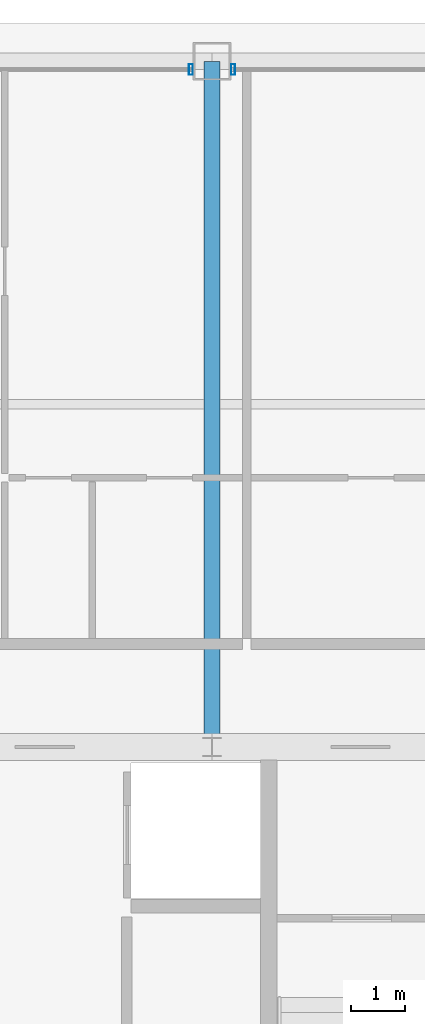
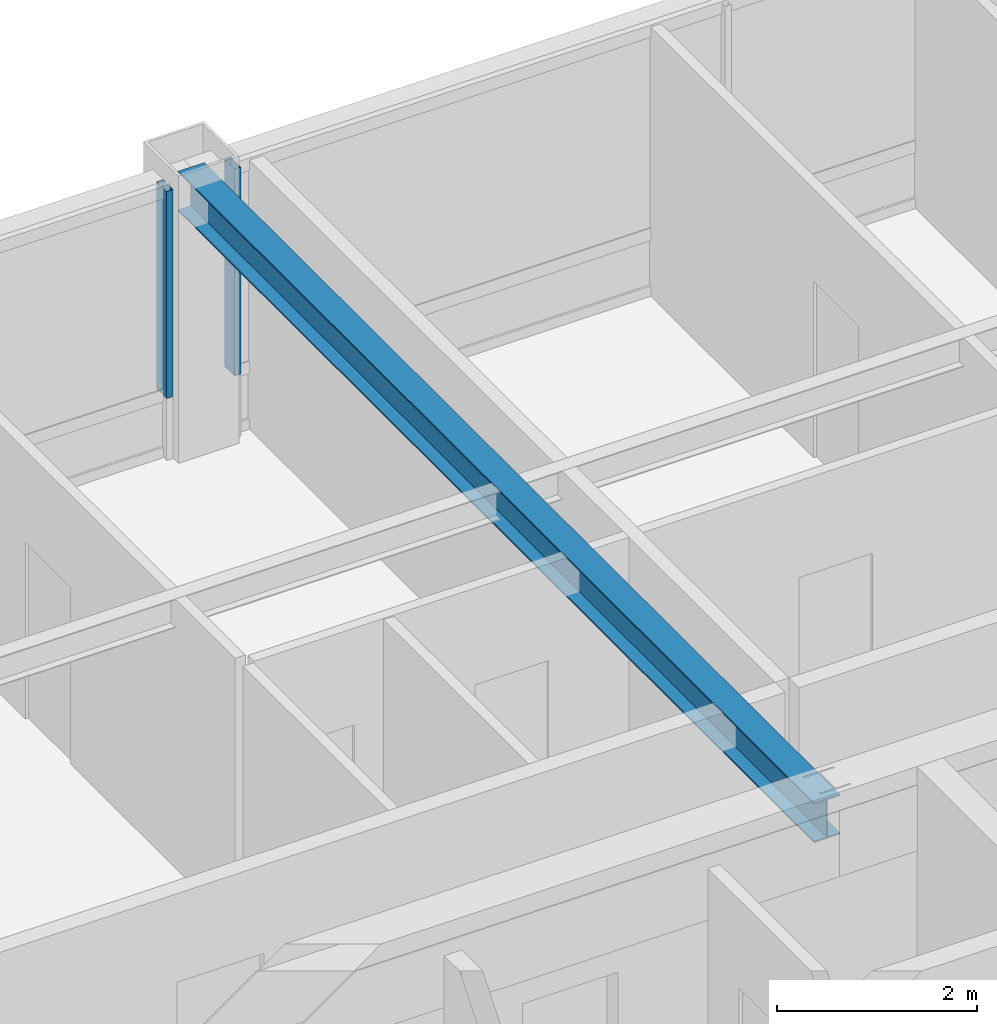
# One storey, part 18 of 35: 2 members, 1 beam, 2 elements without a shape of their own.
"""IFC4 building model written with IfcOpenShell, lengths in metres."""

import ifcopenshell
import ifcopenshell.guid

model = None  # the IFC model being written
_history = None  # IfcOwnerHistory: only IFC2X3 demands one
_inside = {}  # id of a spatial element -> (the spatial element, [elements in it])
_under = {}  # id of a project, library or spatial element -> (it, [spatial elements below it])
_declared = {}  # id of a project -> (the project, [libraries it declares])
_typed = {}  # id of a type object -> (the type object, [elements of that type])
_made_of = {}  # id of a material, layer set ... -> (it, [elements and type objects made of it])


def new_model(schema):
    """Start an empty IFC model of exactly this schema.

    Asked for "IFC4X3", IfcOpenShell would pick the latest addendum, in which some entities
    have other attributes; the version numbers below select the first issue.
    IFC2X3 requires an IfcOwnerHistory on every rooted entity: one is made here for all.
    """
    global model, _history
    if schema == "IFC4X3":
        model = ifcopenshell.file(schema_version=(4, 3, 0, 0))
    else:
        model = ifcopenshell.file(schema=schema)
    _inside.clear()
    _under.clear()
    _declared.clear()
    _typed.clear()
    _made_of.clear()
    _history = None
    if model.schema == "IFC2X3":
        org = make("IfcOrganization", Name="unknown")
        user = make(
            "IfcPersonAndOrganization",
            ThePerson=make("IfcPerson", FamilyName="unknown"),
            TheOrganization=org,
        )
        app = make(
            "IfcApplication",
            ApplicationDeveloper=org,
            Version="unknown",
            ApplicationFullName="unknown",
            ApplicationIdentifier="unknown",
        )
        _history = make(
            "IfcOwnerHistory",
            OwningUser=user,
            OwningApplication=app,
            ChangeAction="ADDED",
            CreationDate=0,
        )
    return model


def make(cls, **values):
    """One entity of the class cls with the attributes given. An attribute that is None is left unset."""
    return model.create_entity(
        cls, **{name: value for name, value in values.items() if value is not None}
    )


def rooted(cls, **values):
    """An entity with a GlobalId (a new one), such as an element, a storey or a relation."""
    return make(cls, GlobalId=ifcopenshell.guid.new(), OwnerHistory=_history, **values)


def si_unit(unit_type, name, prefix=None):
    """IfcSIUnit, for example si_unit("LENGTHUNIT", "METRE", prefix="MILLI")."""
    return make("IfcSIUnit", UnitType=unit_type, Prefix=prefix, Name=name)


def assignment(units):
    """IfcUnitAssignment: the units of a project."""
    return None if units is None else make("IfcUnitAssignment", Units=units)


def point(xyz):
    """IfcCartesianPoint."""
    return None if xyz is None else make("IfcCartesianPoint", Coordinates=xyz)


def direction(xyz):
    """IfcDirection."""
    return None if xyz is None else make("IfcDirection", DirectionRatios=xyz)


def frame(location, z_axis=None, x_axis=None):
    """IfcAxis2Placement3D, a coordinate frame: its origin and axes. An axis left out is left unset."""
    return make(
        "IfcAxis2Placement3D",
        Location=point(location),
        Axis=direction(z_axis),
        RefDirection=direction(x_axis),
    )


def frame_2d(location, x_axis=None):
    """IfcAxis2Placement2D, a coordinate frame in the plane: its origin and x axis."""
    return make(
        "IfcAxis2Placement2D", Location=point(location), RefDirection=direction(x_axis)
    )


def origin():
    """The frame at (0, 0, 0) with its axes left unset."""
    return frame((0.0, 0.0, 0.0))


def origin_2d():
    """The frame at (0, 0) in the plane with its x axis left unset."""
    return frame_2d((0.0, 0.0))


def place(relative_to, where):
    """IfcLocalPlacement: puts the frame where relative to a parent placement (None: the world)."""
    return make(
        "IfcLocalPlacement", PlacementRelTo=relative_to, RelativePlacement=where
    )


def context(
    kind, dimensions, precision=None, world=None, true_north=None, identifier=None
):
    """IfcGeometricRepresentationContext, for example the 3D "Model" context."""
    return make(
        "IfcGeometricRepresentationContext",
        ContextIdentifier=identifier,
        ContextType=kind,
        CoordinateSpaceDimension=dimensions,
        Precision=precision,
        WorldCoordinateSystem=world,
        TrueNorth=true_north,
    )


def subcontext(parent, identifier, kind, view, scale=None):
    """IfcGeometricRepresentationSubContext, for example "Body" below "Model"."""
    return make(
        "IfcGeometricRepresentationSubContext",
        ContextIdentifier=identifier,
        ContextType=kind,
        ParentContext=parent,
        TargetScale=scale,
        TargetView=view,
    )


def project(units=None, contexts=None):
    """IfcProject with its units and contexts."""
    return rooted(
        "IfcProject",
        Name="project",
        RepresentationContexts=contexts,
        UnitsInContext=assignment(units),
    )


def spatial(cls, under=None, at=None, **own):
    """A site, building, storey or space (cls), placed at a placement, below another one or the project."""
    s = rooted(cls, ObjectPlacement=at, **own)
    if under is not None:
        _under.setdefault(under.id(), (under, []))[1].append(s)
    return s


def profile(cls, at=None, kind="AREA", **sizes):
    """A parametric profile (cls). Its sizes go by their IFC names, for example OverallWidth=200.0."""
    return make(cls, ProfileType=kind, Position=at, **sizes)


def hollow_rectangle(**sizes):
    """IfcRectangleHollowProfileDef."""
    return profile("IfcRectangleHollowProfileDef", **sizes)


def i_section(**sizes):
    """IfcIShapeProfileDef."""
    return profile("IfcIShapeProfileDef", **sizes)


def extrude(swept, where, along, depth):
    """IfcExtrudedAreaSolid: the profile swept, set in the frame where, extruded along a direction by depth."""
    return make(
        "IfcExtrudedAreaSolid",
        SweptArea=swept,
        Position=where,
        ExtrudedDirection=direction(along),
        Depth=depth,
    )


def shape(context_of_items, identifier, shape_type, items):
    """IfcShapeRepresentation: the items that make up one representation, for example the "Body"."""
    return make(
        "IfcShapeRepresentation",
        ContextOfItems=context_of_items,
        RepresentationIdentifier=identifier,
        RepresentationType=shape_type,
        Items=items,
    )


def source(mapping_origin, context_of_items, identifier, shape_type, items):
    """IfcRepresentationMap: a shape defined once, which mapped items show again and again."""
    return make(
        "IfcRepresentationMap",
        MappingOrigin=mapping_origin,
        MappedRepresentation=shape(context_of_items, identifier, shape_type, items),
    )


def transform(
    local_origin,
    x_axis=None,
    y_axis=None,
    z_axis=None,
    scale=None,
    scale2=None,
    scale3=None,
    uniform=True,
):
    """IfcCartesianTransformationOperator3D, or its non-uniform kind. x_axis, y_axis, z_axis: its Axis1, 2, 3."""
    if uniform:
        return make(
            "IfcCartesianTransformationOperator3D",
            Axis1=direction(x_axis),
            Axis2=direction(y_axis),
            LocalOrigin=point(local_origin),
            Scale=scale,
            Axis3=direction(z_axis),
        )
    return make(
        "IfcCartesianTransformationOperator3DnonUniform",
        Axis1=direction(x_axis),
        Axis2=direction(y_axis),
        LocalOrigin=point(local_origin),
        Scale=scale,
        Axis3=direction(z_axis),
        Scale2=scale2,
        Scale3=scale3,
    )


def mapped(mapping_source, mapping_target):
    """IfcMappedItem: shows the shape of a source again, moved by a transform."""
    return make(
        "IfcMappedItem", MappingSource=mapping_source, MappingTarget=mapping_target
    )


def material(Name=None, Category=None):
    """IfcMaterial."""
    return make("IfcMaterial", Name=Name, Category=Category)


def layer(
    of_material, thickness, ventilated=None, Name=None, Category=None, Priority=None
):
    """IfcMaterialLayer: one layer of a wall or slab, of a material (None: an air gap)."""
    return make(
        "IfcMaterialLayer",
        Material=of_material,
        LayerThickness=thickness,
        IsVentilated=ventilated,
        Name=Name,
        Category=Category,
        Priority=Priority,
    )


def layer_set(layers, Name=None):
    """IfcMaterialLayerSet."""
    return make("IfcMaterialLayerSet", MaterialLayers=layers, LayerSetName=Name)


def material_profile(
    of_material, cross_section, Name=None, Category=None, Priority=None
):
    """IfcMaterialProfile: a cross section and its material."""
    return make(
        "IfcMaterialProfile",
        Name=Name,
        Material=of_material,
        Profile=cross_section,
        Priority=Priority,
        Category=Category,
    )


def profile_set(profiles, Name=None, composite=None):
    """IfcMaterialProfileSet."""
    return make(
        "IfcMaterialProfileSet",
        Name=Name,
        MaterialProfiles=profiles,
        CompositeProfile=composite,
    )


def made_of(thing, what):
    """Note that an element or type object is made of a material, layer set ...; save() writes the relation."""
    if what is not None:
        _made_of.setdefault(what.id(), (what, []))[1].append(thing)
    return thing


def type_object(cls, material=None, **own):
    """A type object (cls), such as IfcWallType, which elements share."""
    return made_of(rooted(cls, **own), material)


def element(
    cls,
    number,
    at=None,
    inside=None,
    cuts=None,
    type_object=None,
    material=None,
    context=None,
    identifier="Body",
    shape_type=None,
    held_by="IfcProductDefinitionShape",
    body=None,
    shapes=None,
    **own,
):
    """One element of the class cls, such as IfcWall. Its Tag is "e" and its number.

    at: its placement. inside: the storey or other place that contains it. cuts: it is an
    opening in that element (IfcRelVoidsElement). A single representation is given by context,
    identifier, shape_type and body (its items); several are given by shapes. held_by: the class
    of the entity that holds the representations. save() writes the other relations.
    """
    e = rooted(cls, Tag="e%d" % number, ObjectPlacement=at, **own)
    if body is not None:
        shapes = [shape(context, identifier, shape_type, body)]
    if shapes is not None:
        e.Representation = make(held_by, Representations=shapes)
    if inside is not None:
        _inside.setdefault(inside.id(), (inside, []))[1].append(e)
    if cuts is not None:
        rooted(
            "IfcRelVoidsElement", RelatingBuildingElement=cuts, RelatedOpeningElement=e
        )
    if type_object is not None:
        _typed.setdefault(type_object.id(), (type_object, []))[1].append(e)
    return made_of(e, material)


def aggregate(whole, parts):
    """IfcRelAggregates: a whole, such as a stair, and the parts it consists of."""
    return rooted("IfcRelAggregates", RelatingObject=whole, RelatedObjects=parts)


def save(model, path):
    """Write the relations noted so far, then the file.

    IfcRelAggregates (storeys below a building ...), IfcRelContainedInSpatialStructure (elements
    in a storey), IfcRelDefinesByType, IfcRelAssociatesMaterial and IfcRelDeclares: one each for
    every whole, place, type object, material and project.
    """
    for whole, parts in _under.values():
        aggregate(whole, parts)
    for where, things in _inside.values():
        rooted(
            "IfcRelContainedInSpatialStructure",
            RelatedElements=things,
            RelatingStructure=where,
        )
    for kind, things in _typed.values():
        rooted("IfcRelDefinesByType", RelatedObjects=things, RelatingType=kind)
    for what, things in _made_of.values():
        rooted("IfcRelAssociatesMaterial", RelatedObjects=things, RelatingMaterial=what)
    for by, libraries in _declared.values():
        rooted("IfcRelDeclares", RelatingContext=by, RelatedDefinitions=libraries)
    model.write(path)


model = new_model("IFC4")

# Units and contexts
model_context = context("Model", 3, precision=1e-05, world=origin(), true_north=direction((0.0, 1.0)))
body_context = subcontext(model_context, "Body", "Model", "MODEL_VIEW")
ifc_project = project(units=[si_unit("LENGTHUNIT", "METRE"), si_unit("AREAUNIT", "SQUARE_METRE"), si_unit("VOLUMEUNIT", "CUBIC_METRE"), si_unit("PLANEANGLEUNIT", "RADIAN"), si_unit("MASSUNIT", "GRAM", prefix="KILO"), si_unit("THERMODYNAMICTEMPERATUREUNIT", "KELVIN"), si_unit("POWERUNIT", "WATT")], contexts=[model_context])

# Site, building, storey
site_placement = place(None, origin())
site = spatial("IfcSite", under=ifc_project, at=site_placement, CompositionType="ELEMENT")
building_placement = place(site_placement, origin())
building = spatial("IfcBuilding", under=site, at=building_placement, Name="Yuzanri Waterfront Tower", CompositionType="ELEMENT")
storey_placement = place(building_placement, frame((0.0, 0.0, 289.10009765625)))
storey = spatial("IfcBuildingStorey", under=building, at=storey_placement, Name="L77", CompositionType="ELEMENT", Elevation=289.10009765625)

# Beam
ifc_material_1 = material(Name="Steel Q355B", Category="steel")
ifc_material_profile_1 = material_profile(ifc_material_1, i_section(OverallWidth=0.300048828125, OverallDepth=0.488037109375, WebThickness=0.010986328125, FlangeThickness=0.01806640625, at=origin_2d()), Name="HM 488x300x11x18")
ifc_profile_set_1 = profile_set([ifc_material_profile_1], Name="Steel Q355B")
beam_type = type_object("IfcBeamType", Name="Primary Floor Girder Q355B HM 488x300", PredefinedType="BEAM", material=ifc_profile_set_1)
shared_shape_1 = source(origin(), body_context, "Body", "SweptSolid", [
    extrude(i_section(OverallWidth=0.300048828125, OverallDepth=0.488037109375, WebThickness=0.010986328125, FlangeThickness=0.01806640625, at=origin_2d()), origin(), (0.0, 0.0, 1.0), 12.699951171875),
])
beam_placement = place(storey_placement, frame((37.0, 32.199951171875, 3.035888671875), z_axis=(0.0, 1.0, 0.0), x_axis=(-1.0, 0.0, 0.0)))
element("IfcBeam", 1, at=beam_placement, inside=storey, type_object=beam_type, Name="L77 North Grid Girder", PredefinedType="BEAM", context=body_context, shape_type="MappedRepresentation", body=[
    mapped(shared_shape_1, transform((0.0, 0.0, 0.0), scale=1.0)),
])

# Curtain wall, member
ifc_material_2 = material(Name="Anodized Architectural Bronze", Category="metal")
ifc_layer = layer(ifc_material_2, 0.159912109375)
ifc_layer_set = layer_set([ifc_layer], Name="Anodized Architectural Bronze")
curtain_wall_type = type_object("IfcCurtainWallType", Name="Anodized Bronze High-Rise Penthouse High-Wind Unitized Curtain Wall 6900", PredefinedType="NOTDEFINED", material=ifc_layer_set)
curtain_wall_1_placement = place(storey_placement, origin())
curtain_wall_1 = element("IfcCurtainWall", 2, at=curtain_wall_1_placement, inside=storey, type_object=curtain_wall_type, Name="L77 Curtain Wall CW-L77-NL", PredefinedType="NOTDEFINED")
ifc_material_3 = material(Name="Anodized Architectural Bronze", Category="metal")
ifc_material_profile_2 = material_profile(ifc_material_3, hollow_rectangle(XDim=0.074951171875, YDim=0.199951171875, WallThickness=0.00390625, at=origin_2d()), Name="CWM 75x200")
ifc_profile_set_2 = profile_set([ifc_material_profile_2], Name="Anodized Architectural Bronze")
member_type = type_object("IfcMemberType", Name="Anodized Bronze Primary Curtain-Wall Mullion 75x200", PredefinedType="MULLION", material=ifc_profile_set_2)
shared_shape_2 = source(origin(), body_context, "Body", "SweptSolid", [
    extrude(hollow_rectangle(XDim=0.074951171875, YDim=0.199951171875, WallThickness=0.00390625, at=origin_2d()), origin(), (0.0, 0.0, 1.0), 2.52392578125),
])
member_1_placement = place(storey_placement, frame((36.610107421875, 44.75, 0.755859375), z_axis=(0.0, 0.0, 1.0), x_axis=(1.0, 0.0, 0.0)))
member_1 = element("IfcMember", 3, at=member_1_placement, type_object=member_type, Name="CW-L77-NL Upper Mullion 02", PredefinedType="MULLION", context=body_context, shape_type="MappedRepresentation", body=[
    mapped(shared_shape_2, transform((0.0, 0.0, 0.0), scale=1.0)),
])
aggregate(curtain_wall_1, [member_1])

curtain_wall_2_placement = place(storey_placement, origin())
curtain_wall_2 = element("IfcCurtainWall", 4, at=curtain_wall_2_placement, inside=storey, type_object=curtain_wall_type, Name="L77 Curtain Wall CW-L77-NR", PredefinedType="NOTDEFINED")
member_2_placement = place(storey_placement, frame((37.389892578125, 44.75, 0.755859375), z_axis=(0.0, 0.0, 1.0), x_axis=(1.0, 0.0, 0.0)))
member_2 = element("IfcMember", 5, at=member_2_placement, type_object=member_type, Name="CW-L77-NR Upper Mullion 00", PredefinedType="MULLION", context=body_context, shape_type="MappedRepresentation", body=[
    mapped(shared_shape_2, transform((0.0, 0.0, 0.0), scale=1.0)),
])
aggregate(curtain_wall_2, [member_2])

save(model, "model.ifc")
